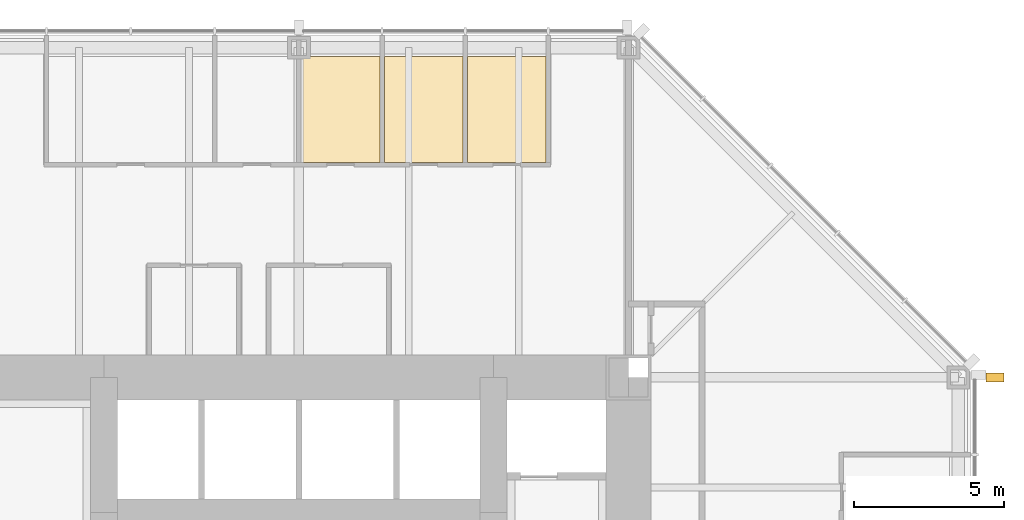
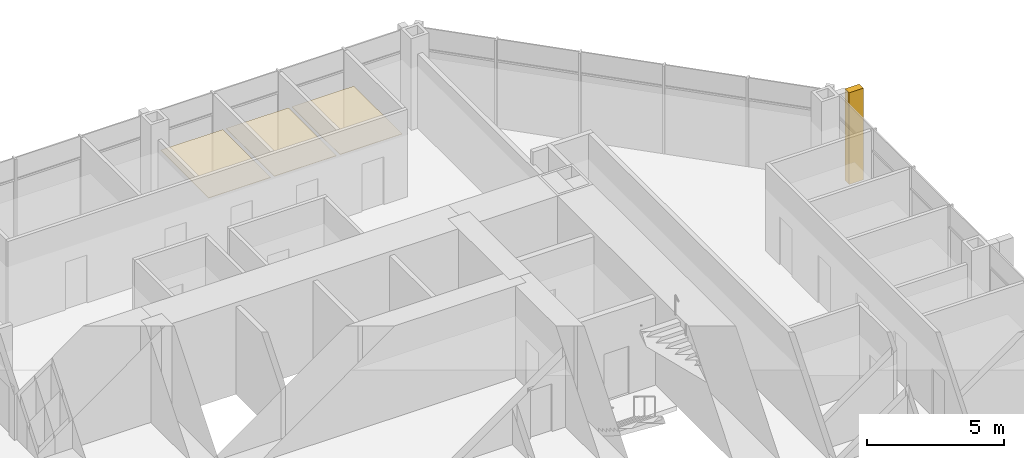
# One storey, part 14 of 14: 4 coverings.
"""IFC4 building model written with IfcOpenShell, lengths in metres."""

from ifc_helpers import new_model, si_unit, direction, frame, origin, origin_2d, place, context, subcontext, project, spatial, polyline, rectangle, outline, extrude, material, layer, layer_set, type_object, element, save


model = new_model("IFC4")

# Units and contexts
model_context = context("Model", 3, precision=1e-05, world=origin(), true_north=direction((0.0, 1.0)))
body_context = subcontext(model_context, "Body", "Model", "MODEL_VIEW")
ifc_project = project(units=[si_unit("LENGTHUNIT", "METRE"), si_unit("AREAUNIT", "SQUARE_METRE"), si_unit("VOLUMEUNIT", "CUBIC_METRE"), si_unit("PLANEANGLEUNIT", "RADIAN"), si_unit("MASSUNIT", "GRAM", prefix="KILO")], contexts=[model_context])

# Site, building, storey
site_placement = place(None, origin())
site = spatial("IfcSite", under=ifc_project, at=site_placement, CompositionType="ELEMENT")
building_placement = place(site_placement, origin())
building = spatial("IfcBuilding", under=site, at=building_placement, Name="Trevanion Tower", CompositionType="ELEMENT")
storey_placement = place(building_placement, frame((0.0, 0.0, 109.0)))
storey = spatial("IfcBuildingStorey", under=building, at=storey_placement, Name="L25", CompositionType="ELEMENT", Elevation=109.0)

# Coverings
ifc_material_1 = material(Name="Mineral fibre acoustic tiles in exposed grid", Category="mineral fibre")
ifc_layer = layer(ifc_material_1, 0.02001953125)
ifc_layer_set = layer_set([ifc_layer], Name="CL2 acoustic tile ceiling 20")
covering_type_1 = type_object("IfcCoveringType", Name="CL2 acoustic tile ceiling 20", PredefinedType="CEILING", material=ifc_layer_set)
covering_1_placement = place(storey_placement, frame((0.0, 0.0, 2.75)))
element("IfcCovering", 1, at=covering_1_placement, inside=storey, type_object=covering_type_1, Name="CL2 L25-OF7", PredefinedType="CEILING", context=body_context, shape_type="SweptSolid", body=[
    extrude(outline(polyline([(8.248046875, 18.175048828125), (5.6240234375, 18.175048828125), (5.6240234375, 21.699951171875), (8.248046875, 21.699951171875), (8.248046875, 18.175048828125)])), origin(), (0.0, 0.0, 1.0), 0.02001953125),
])
covering_2_placement = place(storey_placement, frame((0.0, 0.0, 2.75)))
element("IfcCovering", 2, at=covering_2_placement, inside=storey, type_object=covering_type_1, Name="CL2 L25-OF8", PredefinedType="CEILING", context=body_context, shape_type="SweptSolid", body=[
    extrude(outline(polyline([(5.47412109375, 18.175048828125), (2.85009765625, 18.175048828125), (2.85009765625, 21.699951171875), (5.47412109375, 21.699951171875), (5.47412109375, 18.175048828125)])), origin(), (0.0, 0.0, 1.0), 0.02001953125),
])
covering_3_placement = place(storey_placement, frame((0.0, 0.0, 2.75)))
element("IfcCovering", 3, at=covering_3_placement, inside=storey, type_object=covering_type_1, Name="CL2 L25-OF9", PredefinedType="CEILING", context=body_context, shape_type="SweptSolid", body=[
    extrude(outline(polyline([(2.699951171875, 18.175048828125), (0.074951171875, 18.175048828125), (0.074951171875, 21.699951171875), (2.699951171875, 21.699951171875), (2.699951171875, 18.175048828125)])), origin(), (0.0, 0.0, 1.0), 0.02001953125),
])
ifc_material_2 = material(Name="Cast bronze fin on aluminium carrier", Category="aluminium")
covering_type_2 = type_object("IfcCoveringType", Name="F1 bronze fin", PredefinedType="CLADDING", material=ifc_material_2)
covering_4_placement = place(storey_placement, frame((23.22509765625, 11.0, -0.18994140625), z_axis=(0.0, 0.0, 1.0), x_axis=(0.0, 1.0, 0.0)))
element("IfcCovering", 4, at=covering_4_placement, inside=storey, type_object=covering_type_2, Name="F1 L25 east +11.0", PredefinedType="CLADDING", context=body_context, shape_type="SweptSolid", body=[
    extrude(rectangle(XDim=0.300048828125, YDim=0.60009765625, at=origin_2d()), origin(), (0.0, 0.0, 1.0), 4.10009765625),
])

save(model, "model.ifc")
